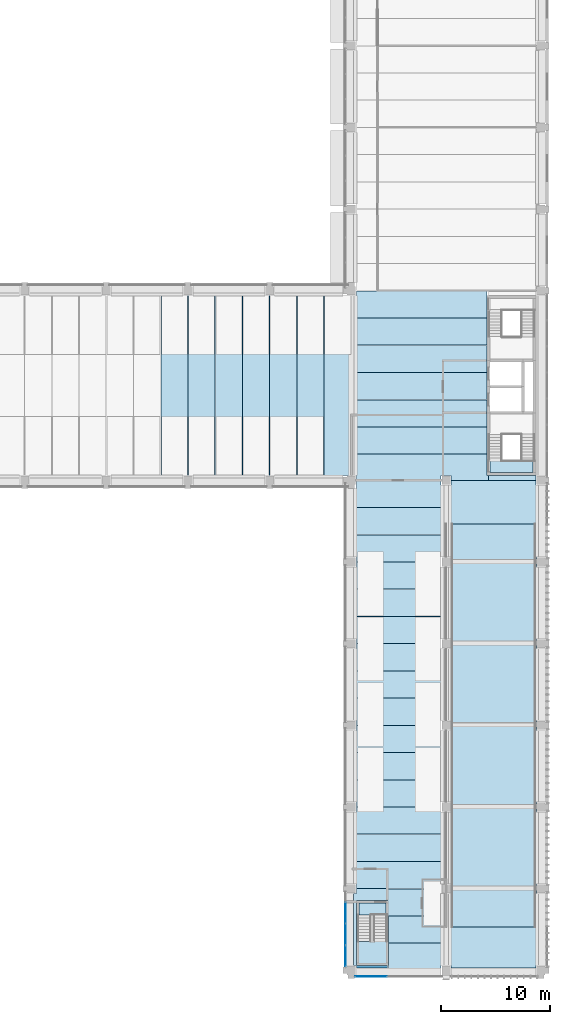
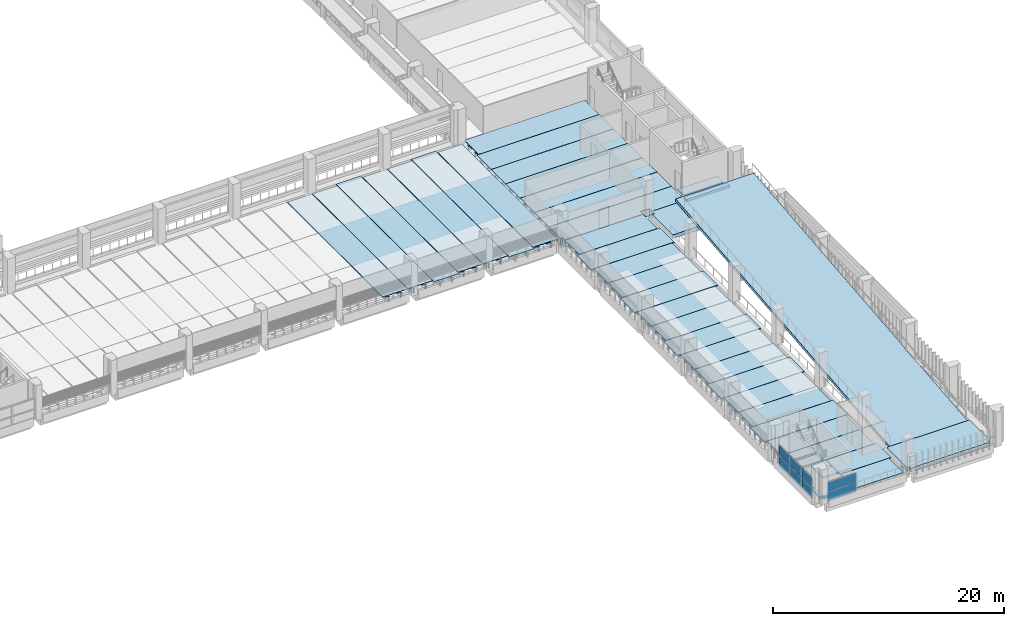
# One storey, part 30 of 61: 41 slabs, 8 plates, 3 elements without a shape of their own.
"""IFC4 building model written with IfcOpenShell, lengths in metres."""

from ifc_helpers import new_model, si_unit, direction, frame, origin, origin_2d, place, context, subcontext, project, spatial, polyline, rectangle, outline, extrude, material, layer, layer_set, material_profile, profile_set, type_object, element, aggregate, save


model = new_model("IFC4")

# Units and contexts
model_context = context("Model", 3, precision=1e-05, world=origin(), true_north=direction((0.0, 1.0)))
body_context = subcontext(model_context, "Body", "Model", "MODEL_VIEW")
ifc_project = project(units=[si_unit("LENGTHUNIT", "METRE"), si_unit("AREAUNIT", "SQUARE_METRE"), si_unit("VOLUMEUNIT", "CUBIC_METRE"), si_unit("PLANEANGLEUNIT", "RADIAN"), si_unit("MASSUNIT", "GRAM", prefix="KILO")], contexts=[model_context])

# Site, building, storey
site_placement = place(None, origin())
site = spatial("IfcSite", under=ifc_project, at=site_placement, CompositionType="ELEMENT")
building_placement = place(site_placement, origin())
building = spatial("IfcBuilding", under=site, at=building_placement, Name="Cour d'Honneur Mobility Palace", CompositionType="ELEMENT")
storey_placement = place(building_placement, frame((0.0, 0.0, 11.89990234375)))
storey = spatial("IfcBuildingStorey", under=building, at=storey_placement, Name="L03", CompositionType="ELEMENT", Elevation=11.89990234375)

# Slabs
ifc_material_1 = material(Name="Concrete C50", Category="concrete")
ifc_layer_1 = layer(ifc_material_1, 0.25)
ifc_layer_set_1 = layer_set([ifc_layer_1], Name="Concrete C50")
slab_type_1 = type_object("IfcSlabType", Name="Cast-in-place Slab 250", PredefinedType="FLOOR", material=ifc_layer_set_1)
slab_1_placement = place(storey_placement, frame((0.0, 0.0, -0.25)))
element("IfcSlab", 1, at=slab_1_placement, inside=storey, type_object=slab_type_1, Name="Cast-in-place slab S1 L03 core", PredefinedType="FLOOR", context=body_context, shape_type="SweptSolid", body=[
    extrude(outline(polyline([(161.85009765625, 45.0), (157.5, 45.0), (157.5, 45.449951171875), (161.85009765625, 45.449951171875), (161.85009765625, 45.0)])), origin(), (0.0, 0.0, 1.0), 0.25),
])
slab_2_placement = place(storey_placement, frame((0.0, 0.0, -0.25)))
element("IfcSlab", 2, at=slab_2_placement, inside=storey, type_object=slab_type_1, Name="Cast-in-place slab S1 L03 core", PredefinedType="FLOOR", context=body_context, shape_type="SweptSolid", body=[
    extrude(outline(polyline([(157.625, 46.77490234375), (161.60009765625, 46.77490234375), (161.60009765625, 45.699951171875), (157.625, 45.699951171875), (157.625, 46.77490234375)])), origin(), (0.0, 0.0, 1.0), 0.25),
])
slab_3_placement = place(storey_placement, frame((0.0, 0.0, -0.25)))
element("IfcSlab", 3, at=slab_3_placement, inside=storey, type_object=slab_type_1, Name="Cast-in-place slab S1 L03 stair strip", PredefinedType="FLOOR", context=body_context, shape_type="SweptSolid", body=[
    extrude(outline(polyline([(145.35009765625, 0.449951171875), (148.199951171875, 0.449951171875), (148.199951171875, 0.22509765625), (145.35009765625, 0.22509765625), (145.35009765625, 0.449951171875)])), origin(), (0.0, 0.0, 1.0), 0.25),
])
slab_4_placement = place(storey_placement, frame((0.0, 0.0, -0.25)))
element("IfcSlab", 4, at=slab_4_placement, inside=storey, type_object=slab_type_1, Name="Cast-in-place slab S1 L03 stair strip", PredefinedType="FLOOR", context=body_context, shape_type="SweptSolid", body=[
    extrude(outline(polyline([(145.35009765625, 6.425048828125), (145.35009765625, 0.449951171875), (145.10009765625, 0.449951171875), (145.10009765625, 7.050048828125), (145.35009765625, 7.050048828125), (145.35009765625, 7.5), (148.199951171875, 7.5), (148.199951171875, 6.425048828125), (145.35009765625, 6.425048828125)])), origin(), (0.0, 0.0, 1.0), 0.25),
])
slab_5_placement = place(storey_placement, frame((0.0, 0.0, -0.25)))
element("IfcSlab", 5, at=slab_5_placement, inside=storey, type_object=slab_type_1, Name="Cast-in-place slab S1 L03 stair strip", PredefinedType="FLOOR", context=body_context, shape_type="SweptSolid", body=[
    extrude(outline(polyline([(145.60009765625, 5.10009765625), (145.60009765625, 6.175048828125), (148.074951171875, 6.175048828125), (148.074951171875, 5.10009765625), (145.60009765625, 5.10009765625)])), origin(), (0.0, 0.0, 1.0), 0.25),
])
ifc_material_2 = material(Name="Concrete C50", Category="concrete")
ifc_layer_2 = layer(ifc_material_2, 0.39990234375)
ifc_layer_set_2 = layer_set([ifc_layer_2], Name="Concrete C50")
slab_type_2 = type_object("IfcSlabType", Name="Cast-in-place Slab 400", PredefinedType="LANDING", material=ifc_layer_set_2)
slab_6_placement = place(storey_placement, frame((0.0, 0.0, -0.39990234375)))
element("IfcSlab", 6, at=slab_6_placement, inside=storey, type_object=slab_type_2, Name="Cast-in-place slab S3 L03 landing", PredefinedType="LANDING", context=body_context, shape_type="SweptSolid", body=[
    extrude(outline(polyline([(161.85009765625, 0.449951171875), (161.85009765625, 0.22509765625), (154.050048828125, 0.22509765625), (154.050048828125, 0.449951171875), (153.800048828125, 0.449951171875), (153.800048828125, 4.0), (162.10009765625, 4.0), (162.10009765625, 0.449951171875), (161.85009765625, 0.449951171875)])), origin(), (0.0, 0.0, 1.0), 0.39990234375),
])
slab_7_placement = place(storey_placement, frame((0.0, 0.0, -0.39990234375)))
element("IfcSlab", 7, at=slab_7_placement, inside=storey, type_object=slab_type_2, Name="Cast-in-place slab S3 L03 landing", PredefinedType="LANDING", context=body_context, shape_type="SweptSolid", body=[
    extrude(outline(polyline([(162.10009765625, 44.550048828125), (162.10009765625, 41.0), (153.800048828125, 41.0), (153.800048828125, 44.550048828125), (154.050048828125, 44.550048828125), (154.050048828125, 45.0), (161.85009765625, 45.0), (161.85009765625, 44.550048828125), (162.10009765625, 44.550048828125)])), origin(), (0.0, 0.0, 1.0), 0.39990234375),
])
ifc_material_3 = material(Name="Concrete C50", Category="concrete")
ifc_layer_3 = layer(ifc_material_3, 0.800048828125)
ifc_layer_set_3 = layer_set([ifc_layer_3], Name="Concrete C50")
slab_type_3 = type_object("IfcSlabType", Name="Cast-in-place Slab 800", PredefinedType="FLOOR", material=ifc_layer_set_3)
slab_8_placement = place(storey_placement, frame((0.0, 0.0, -0.7998046875)))
element("IfcSlab", 8, at=slab_8_placement, inside=storey, type_object=slab_type_3, Name="Cast-in-place slab S2 L03 closure", PredefinedType="FLOOR", context=body_context, shape_type="SweptSolid", body=[
    extrude(outline(polyline([(154.050048828125, 45.449951171875), (153.14990234375, 45.449951171875), (153.14990234375, 45.0), (145.35009765625, 45.0), (145.35009765625, 45.449951171875), (145.14990234375, 45.449951171875), (145.14990234375, 47.39990234375), (157.375, 47.39990234375), (157.375, 45.449951171875), (157.5, 45.449951171875), (157.5, 45.0), (154.050048828125, 45.0), (154.050048828125, 45.449951171875)])), origin(), (0.0, 0.0, 1.0), 0.7998046875),
])

# Curtain wall, plates
ifc_material_4 = material(Name="Aluminium and glass", Category="aluminium")
ifc_layer_4 = layer(ifc_material_4, 0.10009765625)
ifc_layer_set_4 = layer_set([ifc_layer_4], Name="Aluminium and glass")
curtain_wall_type = type_object("IfcCurtainWallType", Name="Curtain wall run", PredefinedType="NOTDEFINED", material=ifc_layer_set_4)
curtain_wall_1_placement = place(storey_placement, origin())
curtain_wall_1 = element("IfcCurtainWall", 9, at=curtain_wall_1_placement, inside=storey, type_object=curtain_wall_type, Name="Curtain wall CW-139", PredefinedType="NOTDEFINED")
ifc_material_5 = material(Name="Double glazing", Category="glass")
ifc_layer_5 = layer(ifc_material_5, 0.028076171875)
ifc_layer_set_5 = layer_set([ifc_layer_5], Name="Double glazing")
plate_type = type_object("IfcPlateType", Name="Curtain wall panel", PredefinedType="CURTAIN_PANEL", material=ifc_layer_set_5)
plate_1_placement = place(storey_placement, frame((144.35009765625, 5.284912109375, 0.06005859375), z_axis=(0.0, 0.0, 1.0), x_axis=(0.0, -1.0, 0.0)))
plate_1 = element("IfcPlate", 10, at=plate_1_placement, type_object=plate_type, Name="CW-139 panel 1.1", PredefinedType="CURTAIN_PANEL", context=body_context, shape_type="SweptSolid", body=[
    extrude(rectangle(XDim=1.909912109375, YDim=0.028076171875, at=origin_2d()), origin(), (0.0, 0.0, 1.0), 1.06005859375),
])
plate_2_placement = place(storey_placement, frame((144.35009765625, 5.284912109375, 1.18017578125), z_axis=(0.0, 0.0, 1.0), x_axis=(0.0, -1.0, 0.0)))
plate_2 = element("IfcPlate", 11, at=plate_2_placement, type_object=plate_type, Name="CW-139 panel 1.2", PredefinedType="CURTAIN_PANEL", context=body_context, shape_type="SweptSolid", body=[
    extrude(rectangle(XDim=1.909912109375, YDim=0.028076171875, at=origin_2d()), origin(), (0.0, 0.0, 1.0), 1.06005859375),
])
plate_3_placement = place(storey_placement, frame((144.35009765625, 3.300048828125, 0.06005859375), z_axis=(0.0, 0.0, 1.0), x_axis=(0.0, -1.0, 0.0)))
plate_3 = element("IfcPlate", 12, at=plate_3_placement, type_object=plate_type, Name="CW-139 panel 2.1", PredefinedType="CURTAIN_PANEL", context=body_context, shape_type="SweptSolid", body=[
    extrude(rectangle(XDim=1.93994140625, YDim=0.028076171875, at=origin_2d()), origin(), (0.0, 0.0, 1.0), 1.06005859375),
])
plate_4_placement = place(storey_placement, frame((144.35009765625, 3.300048828125, 1.18017578125), z_axis=(0.0, 0.0, 1.0), x_axis=(0.0, -1.0, 0.0)))
plate_4 = element("IfcPlate", 13, at=plate_4_placement, type_object=plate_type, Name="CW-139 panel 2.2", PredefinedType="CURTAIN_PANEL", context=body_context, shape_type="SweptSolid", body=[
    extrude(rectangle(XDim=1.93994140625, YDim=0.028076171875, at=origin_2d()), origin(), (0.0, 0.0, 1.0), 1.06005859375),
])
plate_5_placement = place(storey_placement, frame((144.35009765625, 1.31494140625, 0.06005859375), z_axis=(0.0, 0.0, 1.0), x_axis=(0.0, -1.0, 0.0)))
plate_5 = element("IfcPlate", 14, at=plate_5_placement, type_object=plate_type, Name="CW-139 panel 3.1", PredefinedType="CURTAIN_PANEL", context=body_context, shape_type="SweptSolid", body=[
    extrude(rectangle(XDim=1.909912109375, YDim=0.028076171875, at=origin_2d()), origin(), (0.0, 0.0, 1.0), 1.06005859375),
])
plate_6_placement = place(storey_placement, frame((144.35009765625, 1.31494140625, 1.18017578125), z_axis=(0.0, 0.0, 1.0), x_axis=(0.0, -1.0, 0.0)))
plate_6 = element("IfcPlate", 15, at=plate_6_placement, type_object=plate_type, Name="CW-139 panel 3.2", PredefinedType="CURTAIN_PANEL", context=body_context, shape_type="SweptSolid", body=[
    extrude(rectangle(XDim=1.909912109375, YDim=0.028076171875, at=origin_2d()), origin(), (0.0, 0.0, 1.0), 1.06005859375),
])
aggregate(curtain_wall_1, [plate_1, plate_2, plate_3, plate_4, plate_5, plate_6])

curtain_wall_2_placement = place(storey_placement, origin())
curtain_wall_2 = element("IfcCurtainWall", 16, at=curtain_wall_2_placement, inside=storey, type_object=curtain_wall_type, Name="Curtain wall CW-140", PredefinedType="NOTDEFINED")
plate_7_placement = place(storey_placement, frame((146.699951171875, -0.550048828125, 0.06005859375), z_axis=(0.0, 0.0, 1.0), x_axis=(1.0, 0.0, 0.0)))
plate_7 = element("IfcPlate", 17, at=plate_7_placement, type_object=plate_type, Name="CW-140 panel 1.1", PredefinedType="CURTAIN_PANEL", context=body_context, shape_type="SweptSolid", body=[
    extrude(rectangle(XDim=2.8798828125, YDim=0.028076171875, at=origin_2d()), origin(), (0.0, 0.0, 1.0), 0.9599609375),
])
plate_8_placement = place(storey_placement, frame((146.699951171875, -0.550048828125, 1.080078125), z_axis=(0.0, 0.0, 1.0), x_axis=(1.0, 0.0, 0.0)))
plate_8 = element("IfcPlate", 18, at=plate_8_placement, type_object=plate_type, Name="CW-140 panel 1.2", PredefinedType="CURTAIN_PANEL", context=body_context, shape_type="SweptSolid", body=[
    extrude(rectangle(XDim=2.8798828125, YDim=0.028076171875, at=origin_2d()), origin(), (0.0, 0.0, 1.0), 0.9599609375),
])
aggregate(curtain_wall_2, [plate_7, plate_8])

# Slabs
ifc_material_6 = material(Name="Concrete C45", Category="concrete")
ifc_material_profile_1 = material_profile(ifc_material_6, outline(polyline([(-1.2451171875, 0.0), (1.2451171875, 0.0), (1.2451171875, -0.074951171875), (0.659912109375, -0.074951171875), (0.639892578125, -0.39990234375), (0.56005859375, -0.39990234375), (0.5400390625, -0.074951171875), (-0.5400390625, -0.074951171875), (-0.56005859375, -0.39990234375), (-0.639892578125, -0.39990234375), (-0.659912109375, -0.074951171875), (-1.2451171875, -0.074951171875), (-1.2451171875, 0.0)])), Name="DT 2490x400")
ifc_profile_set_1 = profile_set([ifc_material_profile_1], Name="Concrete C45")
slab_type_4 = type_object("IfcSlabType", Name="DT 2490x400", PredefinedType="FLOOR", material=ifc_profile_set_1)
slab_9_placement = place(storey_placement, frame((148.324951171875, 1.25, 0.0), z_axis=(1.0, 0.0, 0.0), x_axis=(0.0, 1.0, 0.0)))
element("IfcSlab", 19, at=slab_9_placement, inside=storey, type_object=slab_type_4, Name="Double tee DT-SE1 L03", PredefinedType="FLOOR", context=body_context, shape_type="SweptSolid", body=[
    extrude(outline(polyline([(-1.2451171875, 0.0), (1.2451171875, 0.0), (1.2451171875, -0.074951171875), (0.659912109375, -0.074951171875), (0.639892578125, -0.39990234375), (0.56005859375, -0.39990234375), (0.5400390625, -0.074951171875), (-0.5400390625, -0.074951171875), (-0.56005859375, -0.39990234375), (-0.639892578125, -0.39990234375), (-0.659912109375, -0.074951171875), (-1.2451171875, -0.074951171875), (-1.2451171875, 0.0)])), origin(), (0.0, 0.0, 1.0), 4.824951171875),
])
slab_10_placement = place(storey_placement, frame((148.324951171875, 3.75, 0.0), z_axis=(1.0, 0.0, 0.0), x_axis=(0.0, 1.0, 0.0)))
element("IfcSlab", 20, at=slab_10_placement, inside=storey, type_object=slab_type_4, Name="Double tee DT-SE2 L03", PredefinedType="FLOOR", context=body_context, shape_type="SweptSolid", body=[
    extrude(outline(polyline([(-1.2451171875, 0.0), (1.2451171875, 0.0), (1.2451171875, -0.074951171875), (0.659912109375, -0.074951171875), (0.639892578125, -0.39990234375), (0.56005859375, -0.39990234375), (0.5400390625, -0.074951171875), (-0.5400390625, -0.074951171875), (-0.56005859375, -0.39990234375), (-0.639892578125, -0.39990234375), (-0.659912109375, -0.074951171875), (-1.2451171875, -0.074951171875), (-1.2451171875, 0.0)])), origin(), (0.0, 0.0, 1.0), 5.074951171875),
])
slab_11_placement = place(storey_placement, frame((148.199951171875, 6.25, 0.0), z_axis=(1.0, 0.0, 0.0), x_axis=(0.0, 1.0, 0.0)))
element("IfcSlab", 21, at=slab_11_placement, inside=storey, type_object=slab_type_4, Name="Double tee DT-SE3 L03", PredefinedType="FLOOR", context=body_context, shape_type="SweptSolid", body=[
    extrude(outline(polyline([(-1.2451171875, 0.0), (1.2451171875, 0.0), (1.2451171875, -0.074951171875), (0.659912109375, -0.074951171875), (0.639892578125, -0.39990234375), (0.56005859375, -0.39990234375), (0.5400390625, -0.074951171875), (-0.5400390625, -0.074951171875), (-0.56005859375, -0.39990234375), (-0.639892578125, -0.39990234375), (-0.659912109375, -0.074951171875), (-1.2451171875, -0.074951171875), (-1.2451171875, 0.0)])), origin(), (0.0, 0.0, 1.0), 4.949951171875),
])
ifc_material_7 = material(Name="Concrete C45", Category="concrete")
ifc_material_profile_2 = material_profile(ifc_material_7, outline(polyline([(-1.2451171875, 0.0), (1.2451171875, 0.0), (1.2451171875, -0.10009765625), (0.669921875, -0.10009765625), (0.64501953125, -0.5), (0.554931640625, -0.5), (0.530029296875, -0.10009765625), (-0.530029296875, -0.10009765625), (-0.554931640625, -0.5), (-0.64501953125, -0.5), (-0.669921875, -0.10009765625), (-1.2451171875, -0.10009765625), (-1.2451171875, 0.0)])), Name="DT 2490x500")
ifc_profile_set_2 = profile_set([ifc_material_profile_2], Name="Concrete C45")
slab_type_5 = type_object("IfcSlabType", Name="DT 2490x500", PredefinedType="FLOOR", material=ifc_profile_set_2)
slab_12_placement = place(storey_placement, frame((145.35009765625, 8.75, 0.0), z_axis=(1.0, 0.0, 0.0), x_axis=(0.0, 1.0, 0.0)))
element("IfcSlab", 22, at=slab_12_placement, inside=storey, type_object=slab_type_5, Name="Double tee DT-SE4 L03", PredefinedType="FLOOR", context=body_context, shape_type="SweptSolid", body=[
    extrude(outline(polyline([(-1.2451171875, 0.0), (1.2451171875, 0.0), (1.2451171875, -0.10009765625), (0.669921875, -0.10009765625), (0.64501953125, -0.5), (0.554931640625, -0.5), (0.530029296875, -0.10009765625), (-0.530029296875, -0.10009765625), (-0.554931640625, -0.5), (-0.64501953125, -0.5), (-0.669921875, -0.10009765625), (-1.2451171875, -0.10009765625), (-1.2451171875, 0.0)])), origin(), (0.0, 0.0, 1.0), 7.7998046875),
])
slab_13_placement = place(storey_placement, frame((145.10009765625, 11.25, 0.0), z_axis=(1.0, 0.0, 0.0), x_axis=(0.0, 1.0, 0.0)))
element("IfcSlab", 23, at=slab_13_placement, inside=storey, type_object=slab_type_5, Name="Double tee DT-SE5 L03", PredefinedType="FLOOR", context=body_context, shape_type="SweptSolid", body=[
    extrude(outline(polyline([(-1.2451171875, 0.0), (1.2451171875, 0.0), (1.2451171875, -0.10009765625), (0.669921875, -0.10009765625), (0.64501953125, -0.5), (0.554931640625, -0.5), (0.530029296875, -0.10009765625), (-0.530029296875, -0.10009765625), (-0.554931640625, -0.5), (-0.64501953125, -0.5), (-0.669921875, -0.10009765625), (-1.2451171875, -0.10009765625), (-1.2451171875, 0.0)])), origin(), (0.0, 0.0, 1.0), 8.2998046875),
])
for number, where, z_axis, x_axis, name in (
    (24, (145.35009765625, 13.75, 0.0), (1.0, 0.0, 0.0), (0.0, 1.0, 0.0), "Double tee DT-SE6 L03"),
    (25, (145.35009765625, 16.25, 0.0), (1.0, 0.0, 0.0), (0.0, 1.0, 0.0), "Double tee DT-SE7 L03"),
):
    element("IfcSlab", number, at=place(storey_placement, frame(where, z_axis=z_axis, x_axis=x_axis)), inside=storey, type_object=slab_type_5, Name=name, PredefinedType="FLOOR", context=body_context, shape_type="SweptSolid", body=[
        extrude(outline(polyline([(-1.2451171875, 0.0), (1.2451171875, 0.0), (1.2451171875, -0.10009765625), (0.669921875, -0.10009765625), (0.64501953125, -0.5), (0.554931640625, -0.5), (0.530029296875, -0.10009765625), (-0.530029296875, -0.10009765625), (-0.554931640625, -0.5), (-0.64501953125, -0.5), (-0.669921875, -0.10009765625), (-1.2451171875, -0.10009765625), (-1.2451171875, 0.0)])), origin(), (0.0, 0.0, 1.0), 7.7998046875),
    ])
slab_14_placement = place(storey_placement, frame((145.10009765625, 18.75, 0.0), z_axis=(1.0, 0.0, 0.0), x_axis=(0.0, 1.0, 0.0)))
element("IfcSlab", 26, at=slab_14_placement, inside=storey, type_object=slab_type_5, Name="Double tee DT-SE8 L03", PredefinedType="FLOOR", context=body_context, shape_type="SweptSolid", body=[
    extrude(outline(polyline([(-1.2451171875, 0.0), (1.2451171875, 0.0), (1.2451171875, -0.10009765625), (0.669921875, -0.10009765625), (0.64501953125, -0.5), (0.554931640625, -0.5), (0.530029296875, -0.10009765625), (-0.530029296875, -0.10009765625), (-0.554931640625, -0.5), (-0.64501953125, -0.5), (-0.669921875, -0.10009765625), (-1.2451171875, -0.10009765625), (-1.2451171875, 0.0)])), origin(), (0.0, 0.0, 1.0), 8.2998046875),
])
for number, where, z_axis, x_axis, name in (
    (27, (145.35009765625, 21.25, 0.0), (1.0, 0.0, 0.0), (0.0, 1.0, 0.0), "Double tee DT-SE9 L03"),
    (28, (145.35009765625, 23.75, 0.0), (1.0, 0.0, 0.0), (0.0, 1.0, 0.0), "Double tee DT-SE10 L03"),
):
    element("IfcSlab", number, at=place(storey_placement, frame(where, z_axis=z_axis, x_axis=x_axis)), inside=storey, type_object=slab_type_5, Name=name, PredefinedType="FLOOR", context=body_context, shape_type="SweptSolid", body=[
        extrude(outline(polyline([(-1.2451171875, 0.0), (1.2451171875, 0.0), (1.2451171875, -0.10009765625), (0.669921875, -0.10009765625), (0.64501953125, -0.5), (0.554931640625, -0.5), (0.530029296875, -0.10009765625), (-0.530029296875, -0.10009765625), (-0.554931640625, -0.5), (-0.64501953125, -0.5), (-0.669921875, -0.10009765625), (-1.2451171875, -0.10009765625), (-1.2451171875, 0.0)])), origin(), (0.0, 0.0, 1.0), 7.7998046875),
    ])
slab_15_placement = place(storey_placement, frame((145.10009765625, 26.25, 0.0), z_axis=(1.0, 0.0, 0.0), x_axis=(0.0, 1.0, 0.0)))
element("IfcSlab", 29, at=slab_15_placement, inside=storey, type_object=slab_type_5, Name="Double tee DT-SE11 L03", PredefinedType="FLOOR", context=body_context, shape_type="SweptSolid", body=[
    extrude(outline(polyline([(-1.2451171875, 0.0), (1.2451171875, 0.0), (1.2451171875, -0.10009765625), (0.669921875, -0.10009765625), (0.64501953125, -0.5), (0.554931640625, -0.5), (0.530029296875, -0.10009765625), (-0.530029296875, -0.10009765625), (-0.554931640625, -0.5), (-0.64501953125, -0.5), (-0.669921875, -0.10009765625), (-1.2451171875, -0.10009765625), (-1.2451171875, 0.0)])), origin(), (0.0, 0.0, 1.0), 8.2998046875),
])
for number, where, z_axis, x_axis, name in (
    (30, (145.35009765625, 28.75, 0.0), (1.0, 0.0, 0.0), (0.0, 1.0, 0.0), "Double tee DT-SE12 L03"),
    (31, (145.35009765625, 31.25, 0.0), (1.0, 0.0, 0.0), (0.0, 1.0, 0.0), "Double tee DT-SE13 L03"),
):
    element("IfcSlab", number, at=place(storey_placement, frame(where, z_axis=z_axis, x_axis=x_axis)), inside=storey, type_object=slab_type_5, Name=name, PredefinedType="FLOOR", context=body_context, shape_type="SweptSolid", body=[
        extrude(outline(polyline([(-1.2451171875, 0.0), (1.2451171875, 0.0), (1.2451171875, -0.10009765625), (0.669921875, -0.10009765625), (0.64501953125, -0.5), (0.554931640625, -0.5), (0.530029296875, -0.10009765625), (-0.530029296875, -0.10009765625), (-0.554931640625, -0.5), (-0.64501953125, -0.5), (-0.669921875, -0.10009765625), (-1.2451171875, -0.10009765625), (-1.2451171875, 0.0)])), origin(), (0.0, 0.0, 1.0), 7.7998046875),
    ])
slab_16_placement = place(storey_placement, frame((145.10009765625, 33.75, 0.0), z_axis=(1.0, 0.0, 0.0), x_axis=(0.0, 1.0, 0.0)))
element("IfcSlab", 32, at=slab_16_placement, inside=storey, type_object=slab_type_5, Name="Double tee DT-SE14 L03", PredefinedType="FLOOR", context=body_context, shape_type="SweptSolid", body=[
    extrude(outline(polyline([(-1.2451171875, 0.0), (1.2451171875, 0.0), (1.2451171875, -0.10009765625), (0.669921875, -0.10009765625), (0.64501953125, -0.5), (0.554931640625, -0.5), (0.530029296875, -0.10009765625), (-0.530029296875, -0.10009765625), (-0.554931640625, -0.5), (-0.64501953125, -0.5), (-0.669921875, -0.10009765625), (-1.2451171875, -0.10009765625), (-1.2451171875, 0.0)])), origin(), (0.0, 0.0, 1.0), 8.2998046875),
])
for number, where, z_axis, x_axis, name in (
    (33, (145.35009765625, 36.25, 0.0), (1.0, 0.0, 0.0), (0.0, 1.0, 0.0), "Double tee DT-SE15 L03"),
    (34, (145.35009765625, 38.75, 0.0), (1.0, 0.0, 0.0), (0.0, 1.0, 0.0), "Double tee DT-SE16 L03"),
):
    element("IfcSlab", number, at=place(storey_placement, frame(where, z_axis=z_axis, x_axis=x_axis)), inside=storey, type_object=slab_type_5, Name=name, PredefinedType="FLOOR", context=body_context, shape_type="SweptSolid", body=[
        extrude(outline(polyline([(-1.2451171875, 0.0), (1.2451171875, 0.0), (1.2451171875, -0.10009765625), (0.669921875, -0.10009765625), (0.64501953125, -0.5), (0.554931640625, -0.5), (0.530029296875, -0.10009765625), (-0.530029296875, -0.10009765625), (-0.554931640625, -0.5), (-0.64501953125, -0.5), (-0.669921875, -0.10009765625), (-1.2451171875, -0.10009765625), (-1.2451171875, 0.0)])), origin(), (0.0, 0.0, 1.0), 7.7998046875),
    ])
slab_17_placement = place(storey_placement, frame((145.10009765625, 41.25, 0.0), z_axis=(1.0, 0.0, 0.0), x_axis=(0.0, 1.0, 0.0)))
element("IfcSlab", 35, at=slab_17_placement, inside=storey, type_object=slab_type_5, Name="Double tee DT-SE17 L03", PredefinedType="FLOOR", context=body_context, shape_type="SweptSolid", body=[
    extrude(outline(polyline([(-1.2451171875, 0.0), (1.2451171875, 0.0), (1.2451171875, -0.10009765625), (0.669921875, -0.10009765625), (0.64501953125, -0.5), (0.554931640625, -0.5), (0.530029296875, -0.10009765625), (-0.530029296875, -0.10009765625), (-0.554931640625, -0.5), (-0.64501953125, -0.5), (-0.669921875, -0.10009765625), (-1.2451171875, -0.10009765625), (-1.2451171875, 0.0)])), origin(), (0.0, 0.0, 1.0), 8.2998046875),
])
slab_18_placement = place(storey_placement, frame((145.35009765625, 43.75, 0.0), z_axis=(1.0, 0.0, 0.0), x_axis=(0.0, 1.0, 0.0)))
element("IfcSlab", 36, at=slab_18_placement, inside=storey, type_object=slab_type_5, Name="Double tee DT-SE18 L03", PredefinedType="FLOOR", context=body_context, shape_type="SweptSolid", body=[
    extrude(outline(polyline([(-1.2451171875, 0.0), (1.2451171875, 0.0), (1.2451171875, -0.10009765625), (0.669921875, -0.10009765625), (0.64501953125, -0.5), (0.554931640625, -0.5), (0.530029296875, -0.10009765625), (-0.530029296875, -0.10009765625), (-0.554931640625, -0.5), (-0.64501953125, -0.5), (-0.669921875, -0.10009765625), (-1.2451171875, -0.10009765625), (-1.2451171875, 0.0)])), origin(), (0.0, 0.0, 1.0), 7.7998046875),
])
ifc_material_8 = material(Name="Concrete C45", Category="concrete")
ifc_material_profile_3 = material_profile(ifc_material_8, outline(polyline([(-1.2451171875, 0.0), (1.2451171875, 0.0), (1.2451171875, -0.10009765625), (0.679931640625, -0.10009765625), (0.64990234375, -0.64990234375), (0.550048828125, -0.64990234375), (0.52001953125, -0.10009765625), (-0.52001953125, -0.10009765625), (-0.550048828125, -0.64990234375), (-0.64990234375, -0.64990234375), (-0.679931640625, -0.10009765625), (-1.2451171875, -0.10009765625), (-1.2451171875, 0.0)])), Name="DT 2490x650")
ifc_profile_set_3 = profile_set([ifc_material_profile_3], Name="Concrete C45")
slab_type_6 = type_object("IfcSlabType", Name="DT 2490x650", PredefinedType="FLOOR", material=ifc_profile_set_3)
for number, where, z_axis, x_axis, name in (
    (37, (145.14990234375, 48.64990234375, 0.0), (1.0, 0.0, 0.0), (0.0, 1.0, 0.0), "Double tee DT-JE1 L03"),
    (38, (145.14990234375, 51.14990234375, 0.0), (1.0, 0.0, 0.0), (0.0, 1.0, 0.0), "Double tee DT-JE2 L03"),
    (39, (145.14990234375, 53.64990234375, 0.0), (1.0, 0.0, 0.0), (0.0, 1.0, 0.0), "Double tee DT-JE3 L03"),
    (40, (145.14990234375, 56.14990234375, 0.0), (1.0, 0.0, 0.0), (0.0, 1.0, 0.0), "Double tee DT-JE4 L03"),
    (41, (145.14990234375, 58.64990234375, 0.0), (1.0, 0.0, 0.0), (0.0, 1.0, 0.0), "Double tee DT-JE5 L03"),
):
    element("IfcSlab", number, at=place(storey_placement, frame(where, z_axis=z_axis, x_axis=x_axis)), inside=storey, type_object=slab_type_6, Name=name, PredefinedType="FLOOR", context=body_context, shape_type="SweptSolid", body=[
        extrude(outline(polyline([(-1.2451171875, 0.0), (1.2451171875, 0.0), (1.2451171875, -0.10009765625), (0.679931640625, -0.10009765625), (0.64990234375, -0.64990234375), (0.550048828125, -0.64990234375), (0.52001953125, -0.10009765625), (-0.52001953125, -0.10009765625), (-0.550048828125, -0.64990234375), (-0.64990234375, -0.64990234375), (-0.679931640625, -0.10009765625), (-1.2451171875, -0.10009765625), (-1.2451171875, 0.0)])), origin(), (0.0, 0.0, 1.0), 12.22509765625),
    ])
slab_19_placement = place(storey_placement, frame((145.35009765625, 61.14990234375, 0.0), z_axis=(1.0, 0.0, 0.0), x_axis=(0.0, 1.0, 0.0)))
element("IfcSlab", 42, at=slab_19_placement, inside=storey, type_object=slab_type_6, Name="Double tee DT-JE6 L03", PredefinedType="FLOOR", context=body_context, shape_type="SweptSolid", body=[
    extrude(outline(polyline([(-1.2451171875, 0.0), (1.2451171875, 0.0), (1.2451171875, -0.10009765625), (0.679931640625, -0.10009765625), (0.64990234375, -0.64990234375), (0.550048828125, -0.64990234375), (0.52001953125, -0.10009765625), (-0.52001953125, -0.10009765625), (-0.550048828125, -0.64990234375), (-0.64990234375, -0.64990234375), (-0.679931640625, -0.10009765625), (-1.2451171875, -0.10009765625), (-1.2451171875, 0.0)])), origin(), (0.0, 0.0, 1.0), 12.02490234375),
])
ifc_material_9 = material(Name="Concrete C45", Category="concrete")
ifc_material_profile_4 = material_profile(ifc_material_9, outline(polyline([(-1.2451171875, 0.0), (1.2451171875, 0.0), (1.2451171875, -0.10009765625), (0.679931640625, -0.10009765625), (0.64990234375, -0.75), (0.550048828125, -0.75), (0.52001953125, -0.10009765625), (-0.52001953125, -0.10009765625), (-0.550048828125, -0.75), (-0.64990234375, -0.75), (-0.679931640625, -0.10009765625), (-1.2451171875, -0.10009765625), (-1.2451171875, 0.0)])), Name="DT 2490x750")
ifc_profile_set_4 = profile_set([ifc_material_profile_4], Name="Concrete C45")
slab_type_7 = type_object("IfcSlabType", Name="DT 2490x750", PredefinedType="FLOOR", material=ifc_profile_set_4)
for number, where, z_axis, x_axis, name in (
    (43, (128.64990234375, 45.449951171875, 0.0), (0.0, 1.0, 0.0), (-1.0, 0.0, 0.0), "Double tee DT-C45 L03"),
    (44, (131.14990234375, 45.449951171875, 0.0), (0.0, 1.0, 0.0), (-1.0, 0.0, 0.0), "Double tee DT-C46 L03"),
):
    element("IfcSlab", number, at=place(storey_placement, frame(where, z_axis=z_axis, x_axis=x_axis)), inside=storey, type_object=slab_type_7, Name=name, PredefinedType="FLOOR", context=body_context, shape_type="SweptSolid", body=[
        extrude(outline(polyline([(-1.2451171875, 0.0), (1.2451171875, 0.0), (1.2451171875, -0.10009765625), (0.679931640625, -0.10009765625), (0.64990234375, -0.75), (0.550048828125, -0.75), (0.52001953125, -0.10009765625), (-0.52001953125, -0.10009765625), (-0.550048828125, -0.75), (-0.64990234375, -0.75), (-0.679931640625, -0.10009765625), (-1.2451171875, -0.10009765625), (-1.2451171875, 0.0)])), origin(), (0.0, 0.0, 1.0), 16.5),
    ])
slab_20_placement = place(storey_placement, frame((133.64990234375, 45.199951171875, 0.0), z_axis=(0.0, 1.0, 0.0), x_axis=(-1.0, 0.0, 0.0)))
element("IfcSlab", 45, at=slab_20_placement, inside=storey, type_object=slab_type_7, Name="Double tee DT-C47 L03", PredefinedType="FLOOR", context=body_context, shape_type="SweptSolid", body=[
    extrude(outline(polyline([(-1.2451171875, 0.0), (1.2451171875, 0.0), (1.2451171875, -0.10009765625), (0.679931640625, -0.10009765625), (0.64990234375, -0.75), (0.550048828125, -0.75), (0.52001953125, -0.10009765625), (-0.52001953125, -0.10009765625), (-0.550048828125, -0.75), (-0.64990234375, -0.75), (-0.679931640625, -0.10009765625), (-1.2451171875, -0.10009765625), (-1.2451171875, 0.0)])), origin(), (0.0, 0.0, 1.0), 17.0),
])
for number, where, z_axis, x_axis, name in (
    (46, (136.14990234375, 45.449951171875, 0.0), (0.0, 1.0, 0.0), (-1.0, 0.0, 0.0), "Double tee DT-C48 L03"),
    (47, (138.64990234375, 45.449951171875, 0.0), (0.0, 1.0, 0.0), (-1.0, 0.0, 0.0), "Double tee DT-C49 L03"),
):
    element("IfcSlab", number, at=place(storey_placement, frame(where, z_axis=z_axis, x_axis=x_axis)), inside=storey, type_object=slab_type_7, Name=name, PredefinedType="FLOOR", context=body_context, shape_type="SweptSolid", body=[
        extrude(outline(polyline([(-1.2451171875, 0.0), (1.2451171875, 0.0), (1.2451171875, -0.10009765625), (0.679931640625, -0.10009765625), (0.64990234375, -0.75), (0.550048828125, -0.75), (0.52001953125, -0.10009765625), (-0.52001953125, -0.10009765625), (-0.550048828125, -0.75), (-0.64990234375, -0.75), (-0.679931640625, -0.10009765625), (-1.2451171875, -0.10009765625), (-1.2451171875, 0.0)])), origin(), (0.0, 0.0, 1.0), 16.5),
    ])
slab_21_placement = place(storey_placement, frame((141.14990234375, 45.199951171875, 0.0), z_axis=(0.0, 1.0, 0.0), x_axis=(-1.0, 0.0, 0.0)))
element("IfcSlab", 48, at=slab_21_placement, inside=storey, type_object=slab_type_7, Name="Double tee DT-C50 L03", PredefinedType="FLOOR", context=body_context, shape_type="SweptSolid", body=[
    extrude(outline(polyline([(-1.2451171875, 0.0), (1.2451171875, 0.0), (1.2451171875, -0.10009765625), (0.679931640625, -0.10009765625), (0.64990234375, -0.75), (0.550048828125, -0.75), (0.52001953125, -0.10009765625), (-0.52001953125, -0.10009765625), (-0.550048828125, -0.75), (-0.64990234375, -0.75), (-0.679931640625, -0.10009765625), (-1.2451171875, -0.10009765625), (-1.2451171875, 0.0)])), origin(), (0.0, 0.0, 1.0), 17.0),
])
slab_22_placement = place(storey_placement, frame((143.64990234375, 45.449951171875, 0.0), z_axis=(0.0, 1.0, 0.0), x_axis=(-1.0, 0.0, 0.0)))
element("IfcSlab", 49, at=slab_22_placement, inside=storey, type_object=slab_type_7, Name="Double tee DT-C51 L03", PredefinedType="FLOOR", context=body_context, shape_type="SweptSolid", body=[
    extrude(outline(polyline([(-1.2451171875, 0.0), (1.2451171875, 0.0), (1.2451171875, -0.10009765625), (0.679931640625, -0.10009765625), (0.64990234375, -0.75), (0.550048828125, -0.75), (0.52001953125, -0.10009765625), (-0.52001953125, -0.10009765625), (-0.550048828125, -0.75), (-0.64990234375, -0.75), (-0.679931640625, -0.10009765625), (-1.2451171875, -0.10009765625), (-1.2451171875, 0.0)])), origin(), (0.0, 0.0, 1.0), 16.5),
])

# Stair, slab
ifc_material_10 = material(Name="Concrete C50", Category="concrete")
stair_type = type_object("IfcStairType", Name="Stair 20 risers", PredefinedType="HALF_TURN_STAIR", material=ifc_material_10)
stair_placement = place(storey_placement, origin())
stair = element("IfcStair", 50, at=stair_placement, inside=storey, type_object=stair_type, Name="Stair ST-RE1", PredefinedType="HALF_TURN_STAIR")
ifc_material_11 = material(Name="Concrete C50", Category="concrete")
ifc_layer_6 = layer(ifc_material_11, 0.199951171875)
ifc_layer_set_6 = layer_set([ifc_layer_6], Name="Concrete C50")
slab_type_8 = type_object("IfcSlabType", Name="Stair landing", PredefinedType="LANDING", material=ifc_layer_set_6)
slab_23_placement = place(storey_placement, frame((0.0, 0.0, 1.650146484375)))
slab_23 = element("IfcSlab", 51, at=slab_23_placement, type_object=slab_type_8, Name="ST-RE1 landing 1", PredefinedType="LANDING", context=body_context, shape_type="SweptSolid", body=[
    extrude(outline(polyline([(145.47509765625, 0.574951171875), (148.199951171875, 0.574951171875), (148.199951171875, 2.669921875), (145.47509765625, 2.669921875), (145.47509765625, 0.574951171875)])), origin(), (0.0, 0.0, 1.0), 0.199951171875),
])
aggregate(stair, [slab_23])

# Slab
ifc_material_12 = material(Name="Concrete C45", Category="concrete")
ifc_layer_7 = layer(ifc_material_12, 0.300048828125)
ifc_layer_set_7 = layer_set([ifc_layer_7], Name="Concrete C45")
slab_type_9 = type_object("IfcSlabType", Name="Vehicle ramp slab 300", PredefinedType="USERDEFINED", material=ifc_layer_set_7)
slab_24_placement = place(storey_placement, frame((154.10009765625, 4.0, 0.0), z_axis=(0.0, -0.099508919531, 0.995036670145), x_axis=(1.0, 0.0, 0.0)))
element("IfcSlab", 52, at=slab_24_placement, inside=storey, type_object=slab_type_9, Name="Vehicle ramp East 4 slab", ObjectType="VEHICLE RAMP SLAB", PredefinedType="USERDEFINED", context=body_context, shape_type="SweptSolid", body=[
    extrude(outline(polyline([(0.0, 0.0), (7.7998046875, 0.0), (7.7998046875, 37.184559232975275), (0.0, 37.184559232975275), (0.0, 0.0)])), origin(), (0.0, 0.0, -1.0), 0.300048828125),
])

save(model, "model.ifc")
